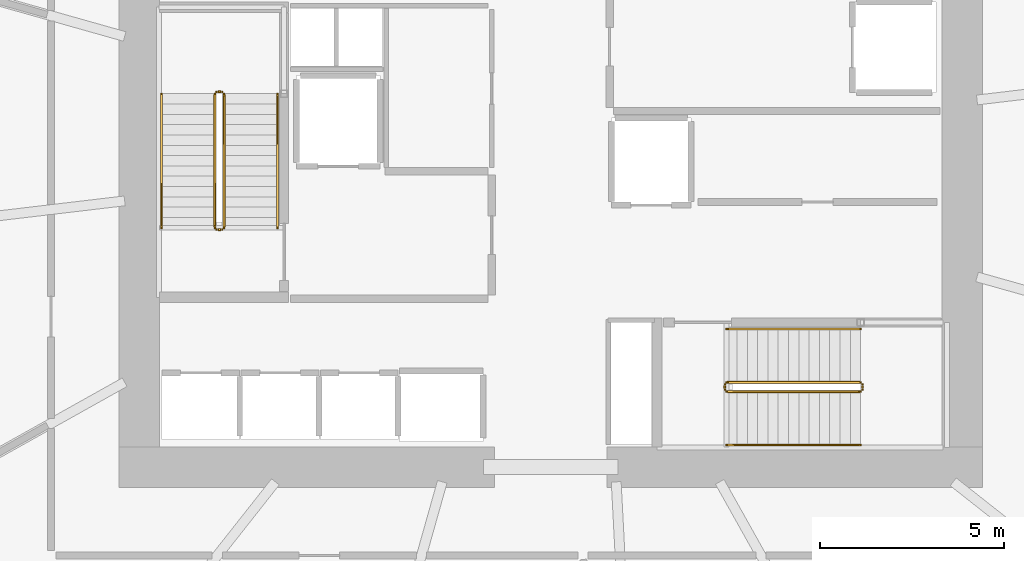
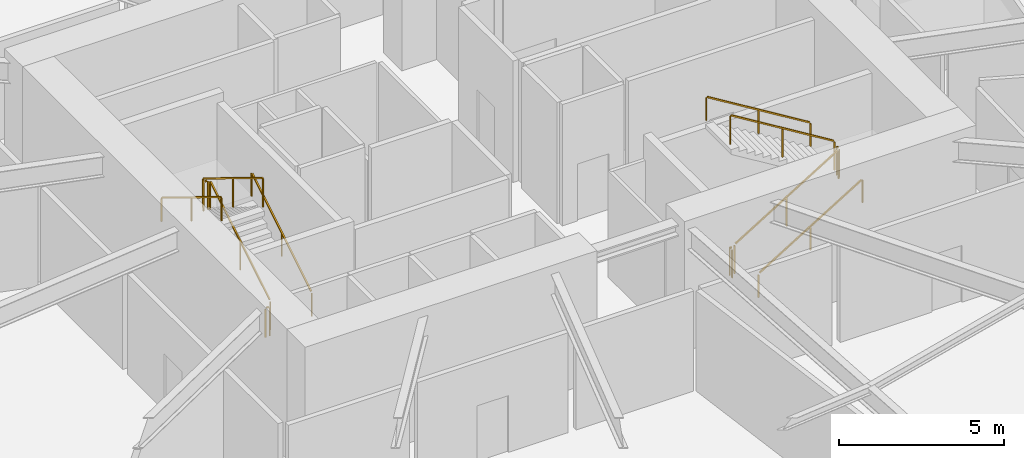
# One storey, part 21 of 22: 12 railings.
"""IFC4 building model written with IfcOpenShell, lengths in metres."""

from ifc_helpers import new_model, si_unit, direction, frame, origin, origin_2d, place, context, subcontext, project, spatial, rectangle, extrude, material, type_object, element, save


model = new_model("IFC4")

# Units and contexts
model_context = context("Model", 3, precision=1e-05, world=origin(), true_north=direction((0.0, 1.0)))
body_context = subcontext(model_context, "Body", "Model", "MODEL_VIEW")
ifc_project = project(units=[si_unit("LENGTHUNIT", "METRE"), si_unit("AREAUNIT", "SQUARE_METRE"), si_unit("VOLUMEUNIT", "CUBIC_METRE"), si_unit("PLANEANGLEUNIT", "RADIAN"), si_unit("MASSUNIT", "GRAM", prefix="KILO")], contexts=[model_context])

# Site, building, storey
site_placement = place(None, origin())
site = spatial("IfcSite", under=ifc_project, at=site_placement, CompositionType="ELEMENT")
building_placement = place(site_placement, origin())
building = spatial("IfcBuilding", under=site, at=building_placement, Name="Kazma Halo Residences", CompositionType="ELEMENT")
storey_placement = place(building_placement, frame((0.0, 0.0, 7.199951171875)))
storey = spatial("IfcBuildingStorey", under=building, at=storey_placement, Name="L01", CompositionType="ELEMENT", Elevation=7.199951171875)

# Railings
ifc_material_1 = material(Name="Painted Steel S355", Category="steel")
railing_type_1 = type_object("IfcRailingType", Name="RLG-STAIR-GRD-1100", PredefinedType="GUARDRAIL", material=ifc_material_1)
railing_1_placement = place(storey_placement, frame((39.550048828125, 39.949951171875, 0.17138671875)))
element("IfcRailing", 1, at=railing_1_placement, inside=storey, type_object=railing_type_1, Name="L01 ST-01 stair guard 1", PredefinedType="GUARDRAIL", context=body_context, shape_type="SweptSolid", body=[
    extrude(rectangle(XDim=0.050048828125, YDim=0.050048828125, at=origin_2d()), frame((0.0, 0.036376953125, 1.09716796875), z_axis=(0.0, 0.852840387347, 0.522171689878), x_axis=(-1.0, 0.0, 0.0)), (0.0, 0.0, 1.0), 4.18310546875),
    extrude(rectangle(XDim=0.0400390625, YDim=0.0400390625, at=origin_2d()), origin(), (0.0, 0.0, 1.0), 1.0380859375),
    extrude(rectangle(XDim=0.0400390625, YDim=0.0400390625, at=origin_2d()), frame((0.0, 1.820068359375, 1.1142578125)), (0.0, 0.0, 1.0), 1.0380859375),
    extrude(rectangle(XDim=0.0400390625, YDim=0.0400390625, at=origin_2d()), frame((0.0, 3.64013671875, 2.228759765625)), (0.0, 0.0, 1.0), 1.0380859375),
])
railing_2_placement = place(storey_placement, frame((39.5, 43.639892578125, 2.400146484375)))
element("IfcRailing", 2, at=railing_2_placement, inside=storey, type_object=railing_type_1, Name="L01 ST-01 stair guard 2", PredefinedType="GUARDRAIL", context=body_context, shape_type="SweptSolid", body=[
    extrude(rectangle(XDim=0.050048828125, YDim=0.050048828125, at=origin_2d()), frame((-0.04248046875, 0.0, 1.0751953125), z_axis=(-1.0, 0.0, 0.0), x_axis=(0.0, -1.0, 0.0)), (0.0, 0.0, 1.0), 0.06494140625),
    extrude(rectangle(XDim=0.0400390625, YDim=0.0400390625, at=origin_2d()), origin(), (0.0, 0.0, 1.0), 1.0380859375),
    extrude(rectangle(XDim=0.0400390625, YDim=0.0400390625, at=origin_2d()), frame((-0.14990234375, 0.0, 0.0)), (0.0, 0.0, 1.0), 1.0380859375),
])
railing_3_placement = place(storey_placement, frame((39.300048828125, 43.590087890625, 2.571533203125)))
element("IfcRailing", 3, at=railing_3_placement, inside=storey, type_object=railing_type_1, Name="L01 ST-01 stair guard 3", PredefinedType="GUARDRAIL", context=body_context, shape_type="SweptSolid", body=[
    extrude(rectangle(XDim=0.050048828125, YDim=0.050048828125, at=origin_2d()), frame((0.0, -0.036376953125, 1.09716796875), z_axis=(0.0, -0.852865859571, 0.52213008492), x_axis=(1.0, 0.0, 0.0)), (0.0, 0.0, 1.0), 4.18310546875),
    extrude(rectangle(XDim=0.0400390625, YDim=0.0400390625, at=origin_2d()), origin(), (0.0, 0.0, 1.0), 1.0380859375),
    extrude(rectangle(XDim=0.0400390625, YDim=0.0400390625, at=origin_2d()), frame((0.0, -1.820068359375, 1.1142578125)), (0.0, 0.0, 1.0), 1.0380859375),
    extrude(rectangle(XDim=0.0400390625, YDim=0.0400390625, at=origin_2d()), frame((0.0, -3.64013671875, 2.228515625)), (0.0, 0.0, 1.0), 1.0380859375),
])
railing_4_placement = place(storey_placement, frame((39.5, 39.89990234375, 0.0)))
element("IfcRailing", 4, at=railing_4_placement, inside=storey, type_object=railing_type_1, Name="L01 ST-01 stair guard 4", PredefinedType="GUARDRAIL", context=body_context, shape_type="SweptSolid", body=[
    extrude(rectangle(XDim=0.050048828125, YDim=0.050048828125, at=origin_2d()), frame((-0.04248046875, 0.0, 1.0751953125), z_axis=(-1.0, 0.0, 0.0), x_axis=(0.0, -1.0, 0.0)), (0.0, 0.0, 1.0), 0.06494140625),
    extrude(rectangle(XDim=0.0400390625, YDim=0.0400390625, at=origin_2d()), origin(), (0.0, 0.0, 1.0), 1.0380859375),
    extrude(rectangle(XDim=0.0400390625, YDim=0.0400390625, at=origin_2d()), frame((-0.14990234375, 0.0, 0.0)), (0.0, 0.0, 1.0), 1.0380859375),
])
railing_5_placement = place(storey_placement, frame((53.199951171875, 35.5, 0.17138671875)))
element("IfcRailing", 5, at=railing_5_placement, inside=storey, type_object=railing_type_1, Name="L01 ST-03 stair guard 1", PredefinedType="GUARDRAIL", context=body_context, shape_type="SweptSolid", body=[
    extrude(rectangle(XDim=0.050048828125, YDim=0.050048828125, at=origin_2d()), frame((0.036376953125, 0.0, 1.09716796875), z_axis=(0.852840387347, 0.0, 0.522171689878), x_axis=(0.0, 1.0, 0.0)), (0.0, 0.0, 1.0), 4.18310546875),
    extrude(rectangle(XDim=0.0400390625, YDim=0.0400390625, at=origin_2d()), origin(), (0.0, 0.0, 1.0), 1.0380859375),
    extrude(rectangle(XDim=0.0400390625, YDim=0.0400390625, at=origin_2d()), frame((1.820068359375, 0.0, 1.1142578125)), (0.0, 0.0, 1.0), 1.0380859375),
    extrude(rectangle(XDim=0.0400390625, YDim=0.0400390625, at=origin_2d()), frame((3.64013671875, 0.0, 2.228759765625)), (0.0, 0.0, 1.0), 1.0380859375),
])
railing_6_placement = place(storey_placement, frame((56.889892578125, 35.550048828125, 2.400146484375)))
element("IfcRailing", 6, at=railing_6_placement, inside=storey, type_object=railing_type_1, Name="L01 ST-03 stair guard 2", PredefinedType="GUARDRAIL", context=body_context, shape_type="SweptSolid", body=[
    extrude(rectangle(XDim=0.050048828125, YDim=0.050048828125, at=origin_2d()), frame((0.0, 0.04248046875, 1.0751953125), z_axis=(0.0, 1.0, 0.0), x_axis=(-1.0, 0.0, 0.0)), (0.0, 0.0, 1.0), 0.06494140625),
    extrude(rectangle(XDim=0.0400390625, YDim=0.0400390625, at=origin_2d()), origin(), (0.0, 0.0, 1.0), 1.0380859375),
    extrude(rectangle(XDim=0.0400390625, YDim=0.0400390625, at=origin_2d()), frame((0.0, 0.14990234375, 0.0)), (0.0, 0.0, 1.0), 1.0380859375),
])
railing_7_placement = place(storey_placement, frame((56.840087890625, 35.75, 2.571533203125)))
element("IfcRailing", 7, at=railing_7_placement, inside=storey, type_object=railing_type_1, Name="L01 ST-03 stair guard 3", PredefinedType="GUARDRAIL", context=body_context, shape_type="SweptSolid", body=[
    extrude(rectangle(XDim=0.050048828125, YDim=0.050048828125, at=origin_2d()), frame((-0.036376953125, 0.0, 1.09716796875), z_axis=(-0.852865859571, 0.0, 0.52213008492), x_axis=(0.0, -1.0, 0.0)), (0.0, 0.0, 1.0), 4.18310546875),
    extrude(rectangle(XDim=0.0400390625, YDim=0.0400390625, at=origin_2d()), origin(), (0.0, 0.0, 1.0), 1.0380859375),
    extrude(rectangle(XDim=0.0400390625, YDim=0.0400390625, at=origin_2d()), frame((-1.820068359375, 0.0, 1.1142578125)), (0.0, 0.0, 1.0), 1.0380859375),
    extrude(rectangle(XDim=0.0400390625, YDim=0.0400390625, at=origin_2d()), frame((-3.64013671875, 0.0, 2.228515625)), (0.0, 0.0, 1.0), 1.0380859375),
])
railing_8_placement = place(storey_placement, frame((53.14990234375, 35.550048828125, 0.0)))
element("IfcRailing", 8, at=railing_8_placement, inside=storey, type_object=railing_type_1, Name="L01 ST-03 stair guard 4", PredefinedType="GUARDRAIL", context=body_context, shape_type="SweptSolid", body=[
    extrude(rectangle(XDim=0.050048828125, YDim=0.050048828125, at=origin_2d()), frame((0.0, 0.04248046875, 1.0751953125), z_axis=(0.0, 1.0, 0.0), x_axis=(-1.0, 0.0, 0.0)), (0.0, 0.0, 1.0), 0.06494140625),
    extrude(rectangle(XDim=0.0400390625, YDim=0.0400390625, at=origin_2d()), origin(), (0.0, 0.0, 1.0), 1.0380859375),
    extrude(rectangle(XDim=0.0400390625, YDim=0.0400390625, at=origin_2d()), frame((0.0, 0.14990234375, 0.0)), (0.0, 0.0, 1.0), 1.0380859375),
])
ifc_material_2 = material(Name="Brushed Stainless Steel", Category="steel")
railing_type_2 = type_object("IfcRailingType", Name="RLG-STAIR-HND-900", PredefinedType="HANDRAIL", material=ifc_material_2)
railing_9_placement = place(storey_placement, frame((41.0, 39.949951171875, 0.17138671875)))
element("IfcRailing", 9, at=railing_9_placement, inside=storey, type_object=railing_type_2, Name="L01 ST-01 stair handrail 1", PredefinedType="HANDRAIL", context=body_context, shape_type="SweptSolid", body=[
    extrude(rectangle(XDim=0.050048828125, YDim=0.050048828125, at=origin_2d()), frame((0.0, 0.036376953125, 0.89697265625), z_axis=(0.0, 0.852840387347, 0.522171689878), x_axis=(-1.0, 0.0, 0.0)), (0.0, 0.0, 1.0), 4.18310546875),
    extrude(rectangle(XDim=0.0400390625, YDim=0.0400390625, at=origin_2d()), origin(), (0.0, 0.0, 1.0), 0.837890625),
    extrude(rectangle(XDim=0.0400390625, YDim=0.0400390625, at=origin_2d()), frame((0.0, 1.820068359375, 1.1142578125)), (0.0, 0.0, 1.0), 0.837890625),
    extrude(rectangle(XDim=0.0400390625, YDim=0.0400390625, at=origin_2d()), frame((0.0, 3.64013671875, 2.228759765625)), (0.0, 0.0, 1.0), 0.837890625),
])
railing_10_placement = place(storey_placement, frame((37.85009765625, 43.590087890625, 2.571533203125)))
element("IfcRailing", 10, at=railing_10_placement, inside=storey, type_object=railing_type_2, Name="L01 ST-01 stair handrail 2", PredefinedType="HANDRAIL", context=body_context, shape_type="SweptSolid", body=[
    extrude(rectangle(XDim=0.050048828125, YDim=0.050048828125, at=origin_2d()), frame((0.0, -0.036376953125, 0.89697265625), z_axis=(0.0, -0.852865859571, 0.52213008492), x_axis=(1.0, 0.0, 0.0)), (0.0, 0.0, 1.0), 4.18310546875),
    extrude(rectangle(XDim=0.0400390625, YDim=0.0400390625, at=origin_2d()), origin(), (0.0, 0.0, 1.0), 0.837890625),
    extrude(rectangle(XDim=0.0400390625, YDim=0.0400390625, at=origin_2d()), frame((0.0, -1.820068359375, 1.1142578125)), (0.0, 0.0, 1.0), 0.837890625),
    extrude(rectangle(XDim=0.0400390625, YDim=0.0400390625, at=origin_2d()), frame((0.0, -3.64013671875, 2.228515625)), (0.0, 0.0, 1.0), 0.837890625),
])
railing_11_placement = place(storey_placement, frame((53.199951171875, 34.050048828125, 0.17138671875)))
element("IfcRailing", 11, at=railing_11_placement, inside=storey, type_object=railing_type_2, Name="L01 ST-03 stair handrail 1", PredefinedType="HANDRAIL", context=body_context, shape_type="SweptSolid", body=[
    extrude(rectangle(XDim=0.050048828125, YDim=0.050048828125, at=origin_2d()), frame((0.036376953125, 0.0, 0.89697265625), z_axis=(0.852840387347, 0.0, 0.522171689878), x_axis=(0.0, 1.0, 0.0)), (0.0, 0.0, 1.0), 4.18310546875),
    extrude(rectangle(XDim=0.0400390625, YDim=0.0400390625, at=origin_2d()), origin(), (0.0, 0.0, 1.0), 0.837890625),
    extrude(rectangle(XDim=0.0400390625, YDim=0.0400390625, at=origin_2d()), frame((1.820068359375, 0.0, 1.1142578125)), (0.0, 0.0, 1.0), 0.837890625),
    extrude(rectangle(XDim=0.0400390625, YDim=0.0400390625, at=origin_2d()), frame((3.64013671875, 0.0, 2.228759765625)), (0.0, 0.0, 1.0), 0.837890625),
])
railing_12_placement = place(storey_placement, frame((56.840087890625, 37.199951171875, 2.571533203125)))
element("IfcRailing", 12, at=railing_12_placement, inside=storey, type_object=railing_type_2, Name="L01 ST-03 stair handrail 2", PredefinedType="HANDRAIL", context=body_context, shape_type="SweptSolid", body=[
    extrude(rectangle(XDim=0.050048828125, YDim=0.050048828125, at=origin_2d()), frame((-0.036376953125, 0.0, 0.89697265625), z_axis=(-0.852865859571, 0.0, 0.52213008492), x_axis=(0.0, -1.0, 0.0)), (0.0, 0.0, 1.0), 4.18310546875),
    extrude(rectangle(XDim=0.0400390625, YDim=0.0400390625, at=origin_2d()), origin(), (0.0, 0.0, 1.0), 0.837890625),
    extrude(rectangle(XDim=0.0400390625, YDim=0.0400390625, at=origin_2d()), frame((-1.820068359375, 0.0, 1.1142578125)), (0.0, 0.0, 1.0), 0.837890625),
    extrude(rectangle(XDim=0.0400390625, YDim=0.0400390625, at=origin_2d()), frame((-3.64013671875, 0.0, 2.228515625)), (0.0, 0.0, 1.0), 0.837890625),
])

save(model, "model.ifc")
